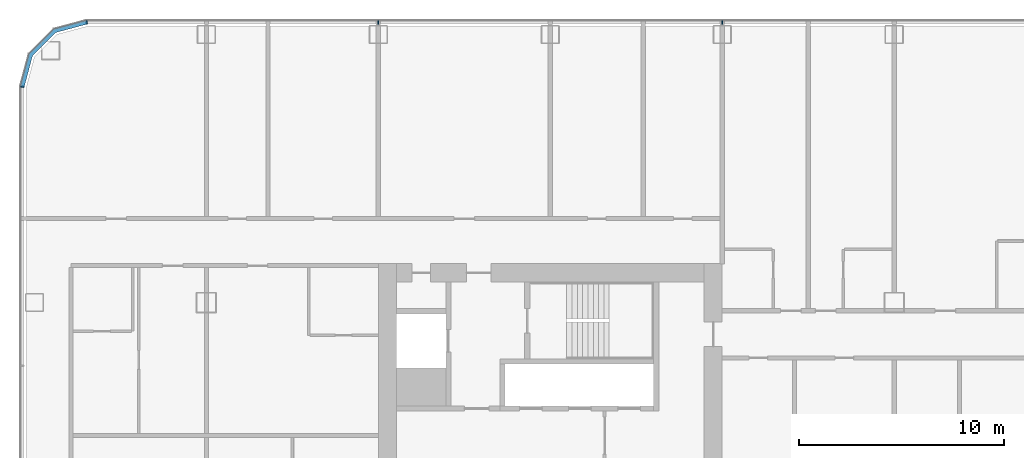
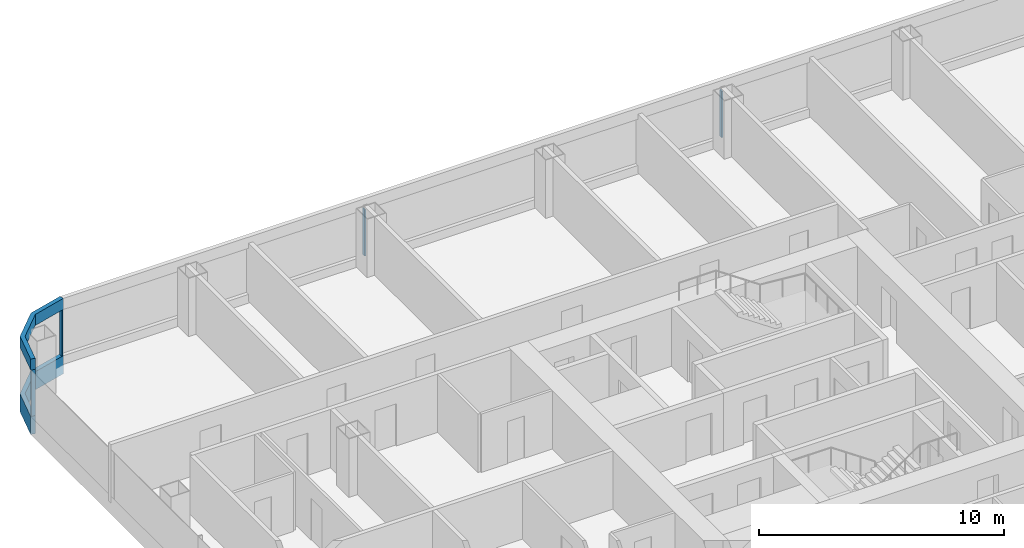
# One storey, part 6 of 29: 6 members, 3 elements without a shape of their own.
"""IFC4 building model written with IfcOpenShell, lengths in metres."""

from ifc_helpers import new_model, si_unit, direction, frame, origin, origin_2d, place, context, subcontext, project, spatial, polyline, rectangle, outline, extrude, material, layer, layer_set, material_profile, profile_set, type_object, element, aggregate, save


model = new_model("IFC4")

# Units and contexts
model_context = context("Model", 3, precision=1e-05, world=origin(), true_north=direction((0.0, 1.0)))
body_context = subcontext(model_context, "Body", "Model", "MODEL_VIEW")
ifc_project = project(units=[si_unit("LENGTHUNIT", "METRE"), si_unit("AREAUNIT", "SQUARE_METRE"), si_unit("VOLUMEUNIT", "CUBIC_METRE"), si_unit("PLANEANGLEUNIT", "RADIAN"), si_unit("MASSUNIT", "GRAM", prefix="KILO")], contexts=[model_context])

# Site, building, storey
site_placement = place(None, origin())
site = spatial("IfcSite", under=ifc_project, at=site_placement, CompositionType="ELEMENT")
building_placement = place(site_placement, origin())
building = spatial("IfcBuilding", under=site, at=building_placement, Name="Hakoniwa Tower and Hamabe Station Hall", CompositionType="ELEMENT")
storey_placement = place(building_placement, frame((0.0, 0.0, 61.39990234375)))
storey = spatial("IfcBuildingStorey", under=building, at=storey_placement, Name="L17", CompositionType="ELEMENT", Elevation=61.39990234375)

# Curtain wall, members
ifc_material_1 = material(Name="Dark low-e laminated glass", Category="glass")
ifc_layer = layer(ifc_material_1, 0.199951171875)
ifc_layer_set = layer_set([ifc_layer], Name="CW-1 UNITISED GUEST")
curtain_wall_type = type_object("IfcCurtainWallType", Name="CW-1 UNITISED GUEST", PredefinedType="NOTDEFINED", material=ifc_layer_set)
curtain_wall_1_placement = place(storey_placement, origin())
curtain_wall_1 = element("IfcCurtainWall", 1, at=curtain_wall_1_placement, inside=storey, type_object=curtain_wall_type, Name="CW-1 curtain wall", PredefinedType="NOTDEFINED")
ifc_material_2 = material(Name="Aluminium 6063-T5 black anodised", Category="aluminium")
ifc_material_profile_1 = material_profile(ifc_material_2, rectangle(XDim=0.199951171875, YDim=0.550048828125, at=origin_2d()), Name="CW HEAD BAND 550X200")
ifc_profile_set_1 = profile_set([ifc_material_profile_1], Name="Aluminium 6063-T5 black anodised")
member_type_1 = type_object("IfcMemberType", Name="CW HEAD BAND 550X200", PredefinedType="USERDEFINED", material=ifc_profile_set_1)
member_1_placement = place(storey_placement, frame((0.0, 0.0, 2.650146484375)))
member_1 = element("IfcMember", 2, at=member_1_placement, type_object=member_type_1, Name="CW-1 transom", ObjectType="TRANSOM", PredefinedType="USERDEFINED", context=body_context, shape_type="SweptSolid", body=[
    extrude(outline(polyline([(-47.839599609375, 20.300048828125), (-49.455322265625, 19.866943359375), (-50.6669921875, 18.6552734375), (-51.10009765625, 17.03955078125), (-50.90673828125, 16.98779296875), (-50.48779296875, 18.5517578125), (-49.351806640625, 19.687744140625), (-47.787841796875, 20.10693359375), (-47.839599609375, 20.300048828125)])), origin(), (0.0, 0.0, 1.0), 0.550048828125),
])
ifc_material_3 = material(Name="Aluminium 6063-T5 black anodised", Category="aluminium")
ifc_material_profile_2 = material_profile(ifc_material_3, rectangle(XDim=0.199951171875, YDim=0.89990234375, at=origin_2d()), Name="CW SLAB-EDGE BAND 900X200")
ifc_profile_set_2 = profile_set([ifc_material_profile_2], Name="Aluminium 6063-T5 black anodised")
member_type_2 = type_object("IfcMemberType", Name="CW SLAB-EDGE BAND 900X200", PredefinedType="USERDEFINED", material=ifc_profile_set_2)
member_2_placement = place(storey_placement, frame((0.0, 0.0, -0.5498046875)))
member_2 = element("IfcMember", 3, at=member_2_placement, type_object=member_type_2, Name="CW-1 transom", ObjectType="TRANSOM", PredefinedType="USERDEFINED", context=body_context, shape_type="SweptSolid", body=[
    extrude(outline(polyline([(-47.839599609375, 20.300048828125), (-49.455322265625, 19.866943359375), (-50.6669921875, 18.6552734375), (-51.10009765625, 17.03955078125), (-50.90673828125, 16.98779296875), (-50.48779296875, 18.5517578125), (-49.351806640625, 19.687744140625), (-47.787841796875, 20.10693359375), (-47.839599609375, 20.300048828125)])), origin(), (0.0, 0.0, 1.0), 0.89990234375),
])
aggregate(curtain_wall_1, [member_2, member_1])

curtain_wall_2_placement = place(storey_placement, origin())
curtain_wall_2 = element("IfcCurtainWall", 4, at=curtain_wall_2_placement, inside=storey, type_object=curtain_wall_type, Name="CW-1 curtain wall", PredefinedType="NOTDEFINED")
ifc_material_4 = material(Name="Aluminium 6063-T5 black anodised", Category="aluminium")
ifc_material_profile_3 = material_profile(ifc_material_4, rectangle(XDim=0.06005859375, YDim=0.179931640625, at=origin_2d()), Name="CW-1 MULLION 60X180")
ifc_profile_set_3 = profile_set([ifc_material_profile_3], Name="Aluminium 6063-T5 black anodised")
member_type_3 = type_object("IfcMemberType", Name="CW-1 MULLION 60X180", PredefinedType="MULLION", material=ifc_profile_set_3)
member_3_placement = place(storey_placement, frame((-16.800048828125, 20.181884765625, 0.35009765625), z_axis=(0.0, 0.0, 1.0), x_axis=(-1.0, 0.0, 0.0)))
member_3 = element("IfcMember", 5, at=member_3_placement, type_object=member_type_3, Name="CW-1 mullion", PredefinedType="MULLION", context=body_context, shape_type="SweptSolid", body=[
    extrude(rectangle(XDim=0.06005859375, YDim=0.179931640625, at=origin_2d()), origin(), (0.0, 0.0, 1.0), 2.300048828125),
])
member_4_placement = place(storey_placement, frame((-33.60009765625, 20.181884765625, 0.35009765625), z_axis=(0.0, 0.0, 1.0), x_axis=(-1.0, 0.0, 0.0)))
member_4 = element("IfcMember", 6, at=member_4_placement, type_object=member_type_3, Name="CW-1 mullion", PredefinedType="MULLION", context=body_context, shape_type="SweptSolid", body=[
    extrude(rectangle(XDim=0.06005859375, YDim=0.179931640625, at=origin_2d()), origin(), (0.0, 0.0, 1.0), 2.300048828125),
])
member_5_placement = place(storey_placement, frame((-47.839599609375, 20.181884765625, 0.35009765625), z_axis=(0.0, 0.0, 1.0), x_axis=(-1.0, 0.0, 0.0)))
member_5 = element("IfcMember", 7, at=member_5_placement, type_object=member_type_3, Name="CW-1 mullion", PredefinedType="MULLION", context=body_context, shape_type="SweptSolid", body=[
    extrude(rectangle(XDim=0.06005859375, YDim=0.179931640625, at=origin_2d()), origin(), (0.0, 0.0, 1.0), 2.300048828125),
])
aggregate(curtain_wall_2, [member_3, member_4, member_5])

# Curtain wall, member
curtain_wall_3_placement = place(storey_placement, origin())
curtain_wall_3 = element("IfcCurtainWall", 8, at=curtain_wall_3_placement, inside=storey, type_object=curtain_wall_type, Name="CW-1 curtain wall", PredefinedType="NOTDEFINED")
member_6_placement = place(storey_placement, frame((-50.98193359375, 17.03955078125, 0.35009765625), z_axis=(0.0, 0.0, 1.0), x_axis=(0.0, -1.0, 0.0)))
member_6 = element("IfcMember", 9, at=member_6_placement, type_object=member_type_3, Name="CW-1 mullion", PredefinedType="MULLION", context=body_context, shape_type="SweptSolid", body=[
    extrude(rectangle(XDim=0.06005859375, YDim=0.179931640625, at=origin_2d()), origin(), (0.0, 0.0, 1.0), 2.300048828125),
])
aggregate(curtain_wall_3, [member_6])

save(model, "model.ifc")
